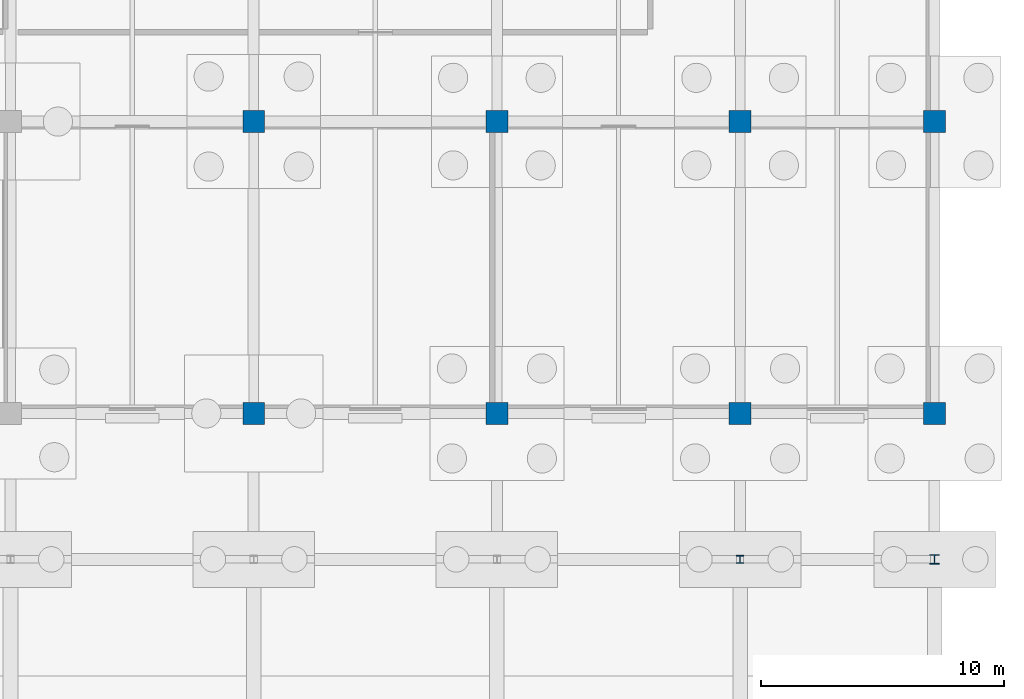
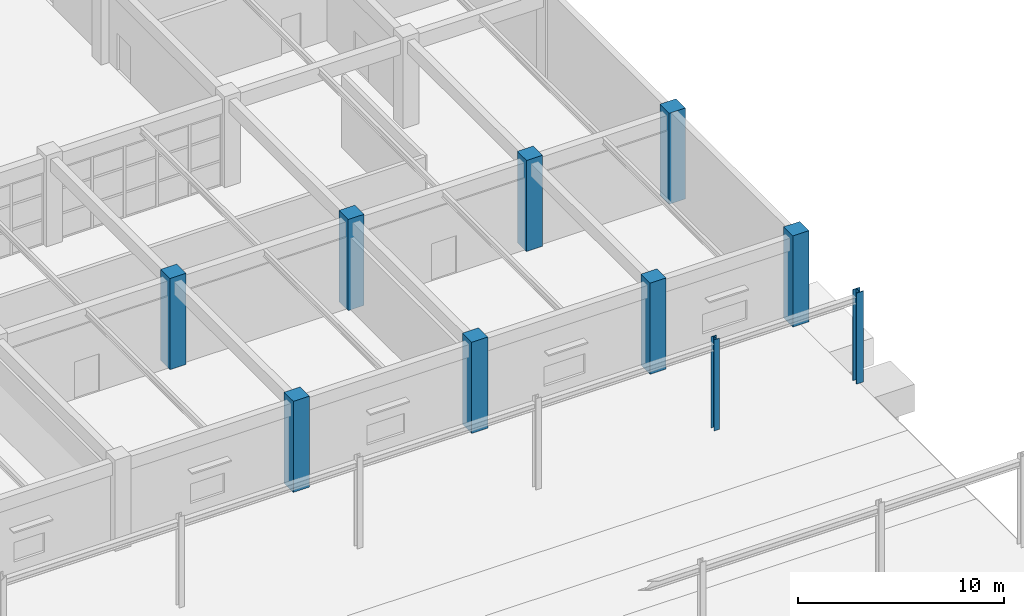
# One storey, part 25 of 99: 10 columns.
"""IFC4 building model written with IfcOpenShell, lengths in metres."""

from ifc_helpers import new_model, si_unit, direction, frame, origin, origin_2d, place, context, subcontext, project, spatial, rectangle, i_section, extrude, material, material_profile, profile_set, type_object, element, save


model = new_model("IFC4")

# Units and contexts
model_context = context("Model", 3, precision=1e-05, world=origin(), true_north=direction((0.0, 1.0)))
body_context = subcontext(model_context, "Body", "Model", "MODEL_VIEW")
ifc_project = project(units=[si_unit("LENGTHUNIT", "METRE"), si_unit("AREAUNIT", "SQUARE_METRE"), si_unit("VOLUMEUNIT", "CUBIC_METRE"), si_unit("PLANEANGLEUNIT", "RADIAN"), si_unit("MASSUNIT", "GRAM", prefix="KILO")], contexts=[model_context])

# Site, building, storey
site_placement = place(None, origin())
site = spatial("IfcSite", under=ifc_project, at=site_placement, CompositionType="ELEMENT")
building_placement = place(site_placement, origin())
building = spatial("IfcBuilding", under=site, at=building_placement, Name="Kivolera Central Railway Station", CompositionType="ELEMENT")
storey_placement = place(building_placement, origin())
storey = spatial("IfcBuildingStorey", under=building, at=storey_placement, Name="L00", CompositionType="ELEMENT", Elevation=0.0)

# Columns
ifc_material_1 = material(Name="Concrete C40/50", Category="concrete")
ifc_material_profile_1 = material_profile(ifc_material_1, rectangle(XDim=0.89990234375, YDim=0.89990234375, at=origin_2d()), Name="RC 900x900")
ifc_profile_set_1 = profile_set([ifc_material_profile_1], Name="Concrete C40/50")
column_type_1 = type_object("IfcColumnType", Name="COL-RC-900", PredefinedType="COLUMN", material=ifc_profile_set_1)
for number, where, z_axis, x_axis, name in (
    (1, (168.0, 54.0, 0.0), (0.0, 0.0, 1.0), (1.0, 0.0, 0.0), "L00 Wing Column 17-E"),
    (2, (168.0, 66.0, 0.0), (0.0, 0.0, 1.0), (1.0, 0.0, 0.0), "L00 Wing Column 17-F"),
    (3, (178.0, 54.0, 0.0), (0.0, 0.0, 1.0), (1.0, 0.0, 0.0), "L00 Wing Column 18-E"),
    (4, (178.0, 66.0, 0.0), (0.0, 0.0, 1.0), (1.0, 0.0, 0.0), "L00 Wing Column 18-F"),
    (5, (188.0, 54.0, 0.0), (0.0, 0.0, 1.0), (1.0, 0.0, 0.0), "L00 Wing Column 19-E"),
    (6, (188.0, 66.0, 0.0), (0.0, 0.0, 1.0), (1.0, 0.0, 0.0), "L00 Wing Column 19-F"),
    (7, (196.0, 54.0, 0.0), (0.0, 0.0, 1.0), (1.0, 0.0, 0.0), "L00 Wing Column 20-E"),
    (8, (196.0, 66.0, 0.0), (0.0, 0.0, 1.0), (1.0, 0.0, 0.0), "L00 Wing Column 20-F"),
):
    element("IfcColumn", number, at=place(storey_placement, frame(where, z_axis=z_axis, x_axis=x_axis)), inside=storey, type_object=column_type_1, Name=name, PredefinedType="COLUMN", context=body_context, shape_type="SweptSolid", body=[
        extrude(rectangle(XDim=0.89990234375, YDim=0.89990234375, at=origin_2d()), origin(), (0.0, 0.0, 1.0), 5.39990234375),
    ])
ifc_material_2 = material(Name="Steel S355", Category="steel")
ifc_material_profile_2 = material_profile(ifc_material_2, i_section(OverallWidth=0.30908203125, OverallDepth=0.320556640625, WebThickness=0.013916015625, FlangeThickness=0.021728515625, FilletRadius=0.01513671875, at=origin_2d()), Name="UC 305x305x137")
ifc_profile_set_2 = profile_set([ifc_material_profile_2], Name="Steel S355")
column_type_2 = type_object("IfcColumnType", Name="COL-STL-UC305", PredefinedType="COLUMN", material=ifc_profile_set_2)
column_1_placement = place(storey_placement, frame((188.0, 48.0, 0.0), z_axis=(0.0, 0.0, 1.0), x_axis=(1.0, 0.0, 0.0)))
element("IfcColumn", 9, at=column_1_placement, inside=storey, type_object=column_type_2, Name="L00 Train Shed Column 19-D", PredefinedType="COLUMN", context=body_context, shape_type="SweptSolid", body=[
    extrude(i_section(OverallWidth=0.30908203125, OverallDepth=0.320556640625, WebThickness=0.013916015625, FlangeThickness=0.021728515625, FilletRadius=0.01513671875, at=origin_2d()), origin(), (0.0, 0.0, 1.0), 5.39990234375),
])
ifc_material_profile_3 = material_profile(ifc_material_2, i_section(OverallWidth=0.394775390625, OverallDepth=0.381103515625, WebThickness=0.018310546875, FlangeThickness=0.0302734375, FilletRadius=0.01513671875, at=origin_2d()), Name="UC 356x406x235")
ifc_profile_set_3 = profile_set([ifc_material_profile_3], Name="Steel S355")
column_type_3 = type_object("IfcColumnType", Name="COL-STL-UC356", PredefinedType="COLUMN", material=ifc_profile_set_3)
column_2_placement = place(storey_placement, frame((196.0, 48.0, 0.0), z_axis=(0.0, 0.0, 1.0), x_axis=(1.0, 0.0, 0.0)))
element("IfcColumn", 10, at=column_2_placement, inside=storey, type_object=column_type_3, Name="L00 Train Shed Column 20-D", PredefinedType="COLUMN", context=body_context, shape_type="SweptSolid", body=[
    extrude(i_section(OverallWidth=0.394775390625, OverallDepth=0.381103515625, WebThickness=0.018310546875, FlangeThickness=0.0302734375, FilletRadius=0.01513671875, at=origin_2d()), origin(), (0.0, 0.0, 1.0), 5.39990234375),
])

save(model, "model.ifc")
